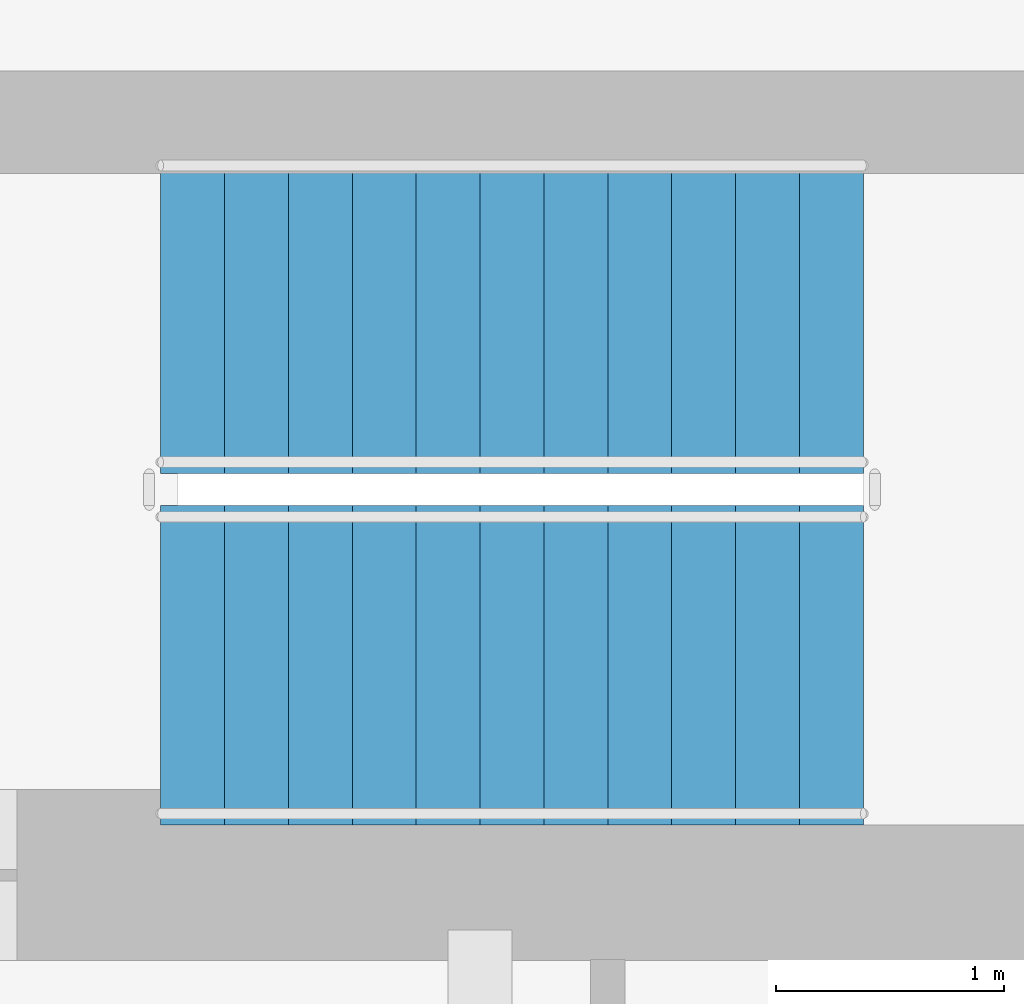
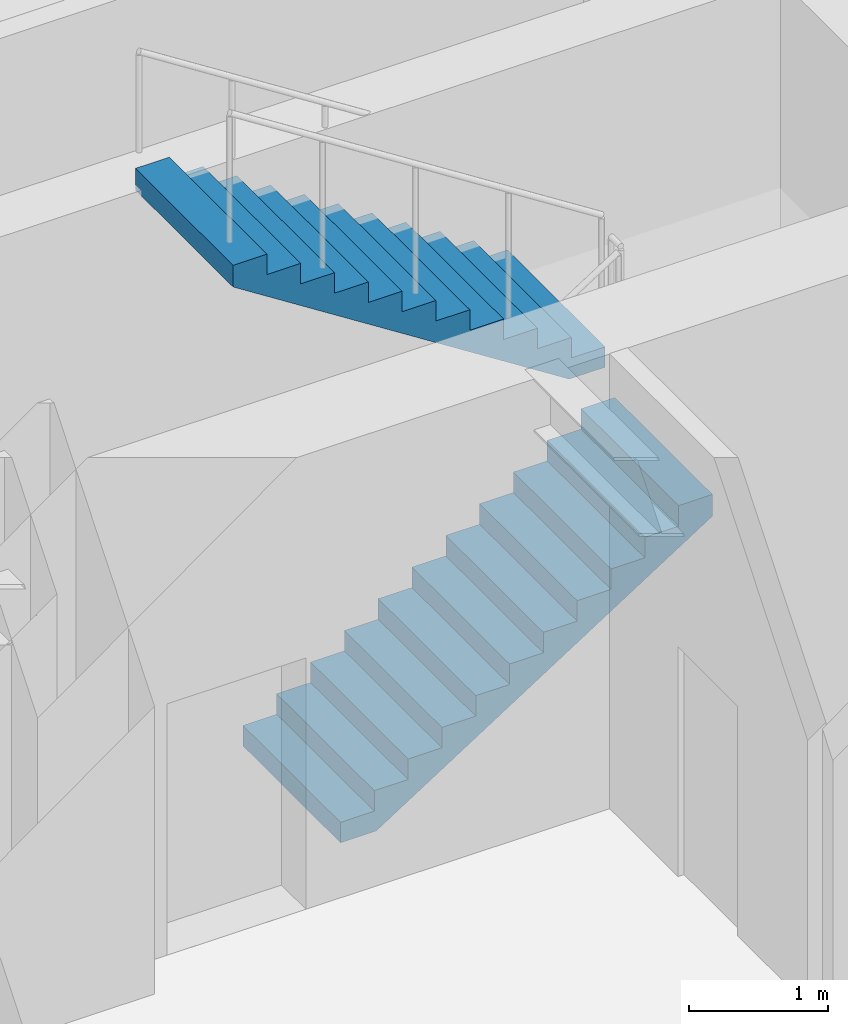
# One storey, part 20 of 31: 2 stair flights, 1 element without a shape of its own.
"""IFC4 building model written with IfcOpenShell, lengths in metres."""

from ifc_helpers import new_model, si_unit, direction, frame, origin, place, context, subcontext, project, spatial, polyline, outline, extrude, material, type_object, element, aggregate, save


model = new_model("IFC4")

# Units and contexts
model_context = context("Model", 3, precision=1e-05, world=origin(), true_north=direction((0.0, 1.0)))
body_context = subcontext(model_context, "Body", "Model", "MODEL_VIEW")
ifc_project = project(units=[si_unit("LENGTHUNIT", "METRE"), si_unit("AREAUNIT", "SQUARE_METRE"), si_unit("VOLUMEUNIT", "CUBIC_METRE"), si_unit("PLANEANGLEUNIT", "RADIAN"), si_unit("MASSUNIT", "GRAM", prefix="KILO")], contexts=[model_context])

# Site, building, storey
site_placement = place(None, origin())
site = spatial("IfcSite", under=ifc_project, at=site_placement, CompositionType="ELEMENT")
building_placement = place(site_placement, origin())
building = spatial("IfcBuilding", under=site, at=building_placement, Name="Mirazonda Arch Towers", CompositionType="ELEMENT")
storey_placement = place(building_placement, frame((0.0, 0.0, 5.199951171875)))
storey = spatial("IfcBuildingStorey", under=building, at=storey_placement, Name="L01", CompositionType="ELEMENT", Elevation=5.199951171875)

# Stair, stair flights
ifc_material = material(Name="Concrete C40/50", Category="concrete")
stair_type = type_object("IfcStairType", Name="STAIR-CORE-1400", PredefinedType="HALF_TURN_STAIR", material=ifc_material)
stair_placement = place(storey_placement, origin())
stair = element("IfcStair", 1, at=stair_placement, inside=storey, type_object=stair_type, Name="L01 Protected Exit Stair ST-T2N", PredefinedType="HALF_TURN_STAIR")
stair_flight_type = type_object("IfcStairFlightType", Name="FLIGHT-1400", PredefinedType="STRAIGHT", material=ifc_material)
stair_flight_1_placement = place(storey_placement, frame((70.85009765625, 36.1201171875, 0.0), z_axis=(0.0, 0.0, 1.0), x_axis=(1.0, 0.0, 0.0)))
stair_flight_1 = element("IfcStairFlight", 2, at=stair_flight_1_placement, type_object=stair_flight_type, Name="ST-T2N flight 1", NumberOfRisers=12, NumberOfTreads=11, PredefinedType="STRAIGHT", RiserHeight=0.179166667, TreadLength=0.28, context=body_context, shape_type="SweptSolid", body=[
    extrude(outline(polyline([(0.0, 0.0), (0.0, 0.17919921875), (0.280029296875, 0.17919921875), (0.280029296875, 0.3583984375), (0.56005859375, 0.3583984375), (0.56005859375, 0.53759765625), (0.840087890625, 0.53759765625), (0.840087890625, 0.716552734375), (1.1201171875, 0.716552734375), (1.1201171875, 0.895751953125), (1.39990234375, 0.895751953125), (1.39990234375, 1.074951171875), (1.679931640625, 1.074951171875), (1.679931640625, 1.254150390625), (1.9599609375, 1.254150390625), (1.9599609375, 1.433349609375), (2.239990234375, 1.433349609375), (2.239990234375, 1.612548828125), (2.52001953125, 1.612548828125), (2.52001953125, 1.791748046875), (2.800048828125, 1.791748046875), (2.800048828125, 1.970947265625), (3.080078125, 1.970947265625), (3.080078125, 2.14990234375), (3.080078125, 1.781005859375), (0.296630859375, 0.0), (0.0, 0.0)])), frame((0.0, 0.699951171875, 0.0), z_axis=(0.0, -1.0, 0.0), x_axis=(1.0, 0.0, 0.0)), (0.0, 0.0, 1.0), 1.39990234375),
])
stair_flight_2_placement = place(storey_placement, frame((73.929931640625, 37.659912109375, 2.150146484375), z_axis=(0.0, 0.0, 1.0), x_axis=(-1.0, 0.0, 0.0)))
stair_flight_2 = element("IfcStairFlight", 3, at=stair_flight_2_placement, type_object=stair_flight_type, Name="ST-T2N flight 2", NumberOfRisers=12, NumberOfTreads=11, PredefinedType="STRAIGHT", RiserHeight=0.179166667, TreadLength=0.28, context=body_context, shape_type="SweptSolid", body=[
    extrude(outline(polyline([(0.0, 0.0), (0.0, 0.17919921875), (0.280029296875, 0.17919921875), (0.280029296875, 0.3583984375), (0.56005859375, 0.3583984375), (0.56005859375, 0.53759765625), (0.840087890625, 0.53759765625), (0.840087890625, 0.716552734375), (1.1201171875, 0.716552734375), (1.1201171875, 0.895751953125), (1.39990234375, 0.895751953125), (1.39990234375, 1.074951171875), (1.679931640625, 1.074951171875), (1.679931640625, 1.254150390625), (1.9599609375, 1.254150390625), (1.9599609375, 1.433349609375), (2.239990234375, 1.433349609375), (2.239990234375, 1.612548828125), (2.52001953125, 1.612548828125), (2.52001953125, 1.791748046875), (2.800048828125, 1.791748046875), (2.800048828125, 1.970947265625), (3.080078125, 1.970947265625), (3.080078125, 2.14990234375), (3.080078125, 1.781005859375), (0.296630859375, 0.0), (0.0, 0.0)])), frame((0.0, 0.699951171875, 0.0), z_axis=(0.0, -1.0, 0.0), x_axis=(1.0, 0.0, 0.0)), (0.0, 0.0, 1.0), 1.39990234375),
])
aggregate(stair, [stair_flight_1, stair_flight_2])

save(model, "model.ifc")
